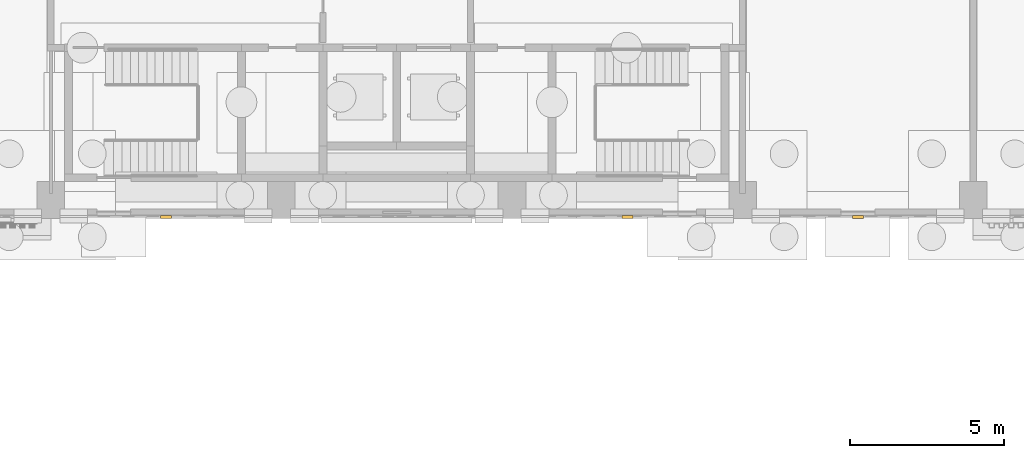
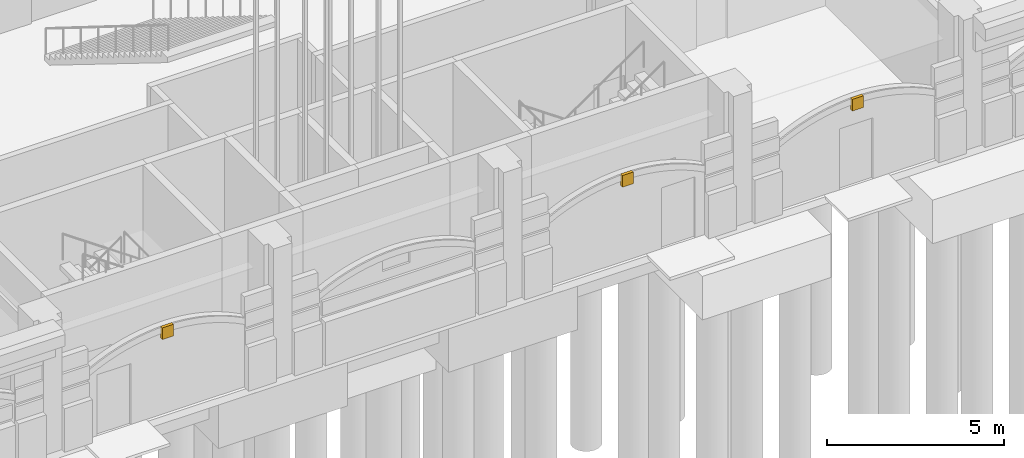
# One storey, part 93 of 99: 3 coverings.
"""IFC4 building model written with IfcOpenShell, lengths in metres."""

from ifc_helpers import new_model, si_unit, direction, frame, origin, place, context, subcontext, project, spatial, polyline, outline, extrude, material, layer, layer_set, type_object, element, save


model = new_model("IFC4")

# Units and contexts
model_context = context("Model", 3, precision=1e-05, world=origin(), true_north=direction((0.0, 1.0)))
body_context = subcontext(model_context, "Body", "Model", "MODEL_VIEW")
ifc_project = project(units=[si_unit("LENGTHUNIT", "METRE"), si_unit("AREAUNIT", "SQUARE_METRE"), si_unit("VOLUMEUNIT", "CUBIC_METRE"), si_unit("PLANEANGLEUNIT", "RADIAN"), si_unit("MASSUNIT", "GRAM", prefix="KILO")], contexts=[model_context])

# Site, building, storey
site_placement = place(None, origin())
site = spatial("IfcSite", under=ifc_project, at=site_placement, CompositionType="ELEMENT")
building_placement = place(site_placement, origin())
building = spatial("IfcBuilding", under=site, at=building_placement, Name="Cour d'Honneur Mobility Palace", CompositionType="ELEMENT")
storey_placement = place(building_placement, origin())
storey = spatial("IfcBuildingStorey", under=building, at=storey_placement, Name="L00", CompositionType="ELEMENT", Elevation=0.0)

# Coverings
ifc_material = material(Name="Cast limestone", Category="masonry")
ifc_layer = layer(ifc_material, 0.10009765625)
ifc_layer_set = layer_set([ifc_layer], Name="Cast limestone")
covering_type = type_object("IfcCoveringType", Name="Keystone", PredefinedType="CLADDING", material=ifc_layer_set)
for number, where, z_axis, x_axis, name in (
    (1, (73.469970703125, 44.25, 2.64990234375), (0.0, -1.0, 0.0), (1.0, 0.0, 0.0), "Keystone KS-1"),
    (2, (88.469970703125, 44.25, 2.64990234375), (0.0, -1.0, 0.0), (1.0, 0.0, 0.0), "Keystone KS-2"),
    (3, (95.969970703125, 44.25, 2.64990234375), (0.0, -1.0, 0.0), (1.0, 0.0, 0.0), "Keystone KS-3"),
):
    element("IfcCovering", number, at=place(storey_placement, frame(where, z_axis=z_axis, x_axis=x_axis)), inside=storey, type_object=covering_type, Name=name, PredefinedType="CLADDING", context=body_context, shape_type="SweptSolid", body=[
        extrude(outline(polyline([(0.0, 0.0), (0.360107421875, 0.0), (0.360107421875, 0.400146484375), (0.0, 0.400146484375), (0.0, 0.0)])), origin(), (0.0, 0.0, -1.0), 0.10009765625),
    ])

save(model, "model.ifc")
